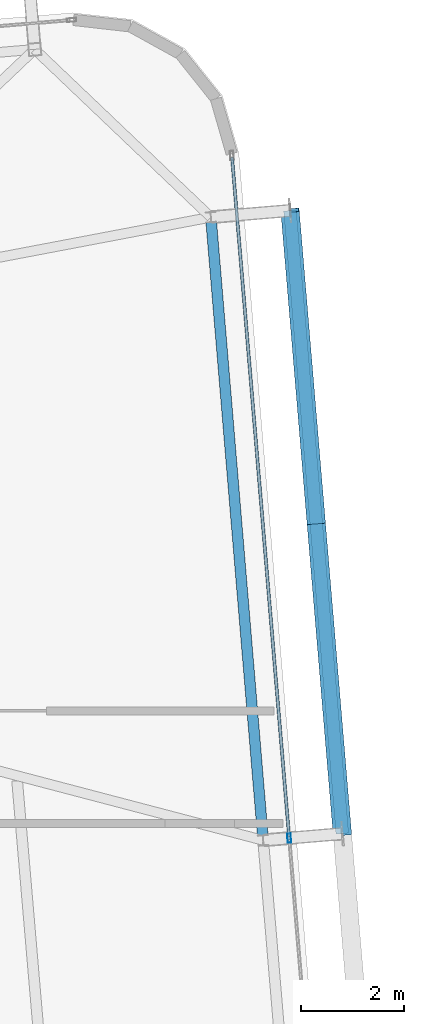
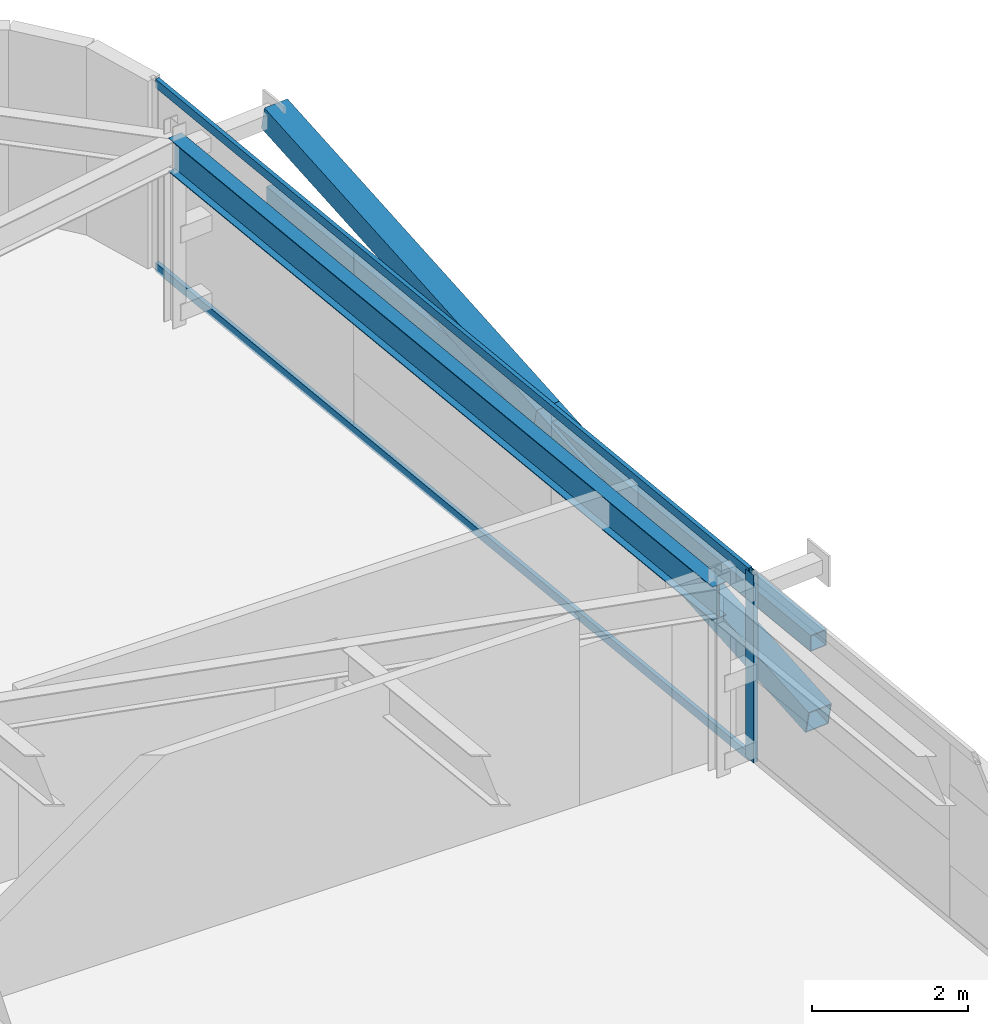
# One storey, part 20 of 37: 6 members, 1 beam, 1 element without a shape of its own.
"""IFC4 building model written with IfcOpenShell, lengths in metres."""

from ifc_helpers import new_model, si_unit, direction, frame, origin, origin_2d, place, context, subcontext, project, spatial, hollow_rectangle, i_section, extrude, source, transform, mapped, material, layer, layer_set, material_profile, profile_set, type_object, element, aggregate, save


model = new_model("IFC4")

# Units and contexts
model_context = context("Model", 3, precision=1e-05, world=origin(), true_north=direction((0.0, 1.0)))
body_context = subcontext(model_context, "Body", "Model", "MODEL_VIEW")
ifc_project = project(units=[si_unit("LENGTHUNIT", "METRE"), si_unit("AREAUNIT", "SQUARE_METRE"), si_unit("VOLUMEUNIT", "CUBIC_METRE"), si_unit("PLANEANGLEUNIT", "RADIAN"), si_unit("MASSUNIT", "GRAM", prefix="KILO")], contexts=[model_context])

# Site, building, storey
site_placement = place(None, origin())
site = spatial("IfcSite", under=ifc_project, at=site_placement, CompositionType="ELEMENT")
building_placement = place(site_placement, origin())
building = spatial("IfcBuilding", under=site, at=building_placement, Name="Taldren Reach Tower", CompositionType="ELEMENT")
storey_placement = place(building_placement, frame((0.0, 0.0, 200.89990234375)))
storey = spatial("IfcBuildingStorey", under=building, at=storey_placement, Name="L61", CompositionType="ELEMENT", Elevation=200.89990234375)

# Beam
ifc_material_1 = material(Name="Steel Gr 350 (350PLUS)", Category="steel")
ifc_material_profile_1 = material_profile(ifc_material_1, i_section(OverallWidth=0.208984375, OverallDepth=0.528076171875, WebThickness=0.009521484375, FlangeThickness=0.01318359375, at=origin_2d()), Name="530UB82.0")
ifc_profile_set_1 = profile_set([ifc_material_profile_1], Name="Steel Gr 350 (350PLUS)")
beam_type = type_object("IfcBeamType", Name="SP-UB530B", PredefinedType="SPANDREL", material=ifc_profile_set_1)
shared_shape_1 = source(origin(), body_context, "Body", "SweptSolid", [
    extrude(i_section(OverallWidth=0.208984375, OverallDepth=0.528076171875, WebThickness=0.009521484375, FlangeThickness=0.01318359375, at=origin_2d()), origin(), (0.0, 0.0, 1.0), 12.199951171875),
])
beam_placement = place(storey_placement, frame((60.6171875, 21.474853515625, 2.666015625), z_axis=(-0.083668166953, 0.99649367175, 0.0), x_axis=(-0.99649367175, -0.083668166953, 0.0)))
element("IfcBeam", 1, at=beam_placement, inside=storey, type_object=beam_type, Name="Perimeter spandrel B4 E2-E3 L61", PredefinedType="SPANDREL", context=body_context, shape_type="MappedRepresentation", body=[
    mapped(shared_shape_1, transform((0.0, 0.0, 0.0), scale=1.0)),
])

# Members
ifc_material_2 = material(Name="Steel Gr 350 (C350L0)", Category="steel")
ifc_material_profile_2 = material_profile(ifc_material_2, hollow_rectangle(XDim=0.25, YDim=0.25, WallThickness=0.010009765625, at=origin_2d()), Name="250x250x10.0SHS")
ifc_profile_set_2 = profile_set([ifc_material_profile_2], Name="Steel Gr 350 (C350L0)")
member_type_1 = type_object("IfcMemberType", Name="MB-POST250", PredefinedType="POST", material=ifc_profile_set_2)
shared_shape_2 = source(origin(), body_context, "Body", "SweptSolid", [
    extrude(hollow_rectangle(XDim=0.25, YDim=0.25, WallThickness=0.010009765625, at=origin_2d()), origin(), (0.0, 0.0, 1.0), 12.199951171875),
])
member_1_placement = place(storey_placement, frame((62.161865234375, 21.6044921875, 1.43505859375), z_axis=(-0.083688038336, 0.996492003099, 0.0), x_axis=(-0.996492003099, -0.083688038336, 0.0)))
element("IfcMember", 2, at=member_1_placement, inside=storey, type_object=member_type_1, Name="Exoskeleton mid-height ring chord B4-E2 L61", PredefinedType="POST", context=body_context, shape_type="MappedRepresentation", body=[
    mapped(shared_shape_2, transform((0.0, 0.0, 0.0), scale=1.0)),
])
ifc_material_3 = material(Name="Steel Gr 450 (C450L0)", Category="steel")
ifc_material_profile_3 = material_profile(ifc_material_3, hollow_rectangle(XDim=0.360107421875, YDim=0.360107421875, WallThickness=0.0126953125, at=origin_2d()), Name="360x360x12.7SHS")
ifc_profile_set_3 = profile_set([ifc_material_profile_3], Name="Steel Gr 450 (C450L0)")
member_type_2 = type_object("IfcMemberType", Name="MB-EXO356", PredefinedType="BRACE", material=ifc_profile_set_3)
shared_shape_3 = source(origin(), body_context, "Body", "SweptSolid", [
    extrude(hollow_rectangle(XDim=0.360107421875, YDim=0.360107421875, WallThickness=0.0126953125, at=origin_2d()), origin(), (0.0, 0.0, 1.0), 6.219970703125),
])
member_2_placement = place(storey_placement, frame((61.6513671875, 27.68310546875, 1.43505859375), z_axis=(-0.082075564879, 0.977291924611, 0.195356330179), x_axis=(-0.996492003099, -0.083688038336, 0.0)))
element("IfcMember", 3, at=member_2_placement, inside=storey, type_object=member_type_2, Name="Exoskeleton Diagrid Brace B4-E2 L61", PredefinedType="BRACE", context=body_context, shape_type="MappedRepresentation", body=[
    mapped(shared_shape_3, transform((0.0, 0.0, 0.0), scale=1.0)),
])
shared_shape_4 = source(origin(), body_context, "Body", "SweptSolid", [
    extrude(hollow_rectangle(XDim=0.360107421875, YDim=0.360107421875, WallThickness=0.0126953125, at=origin_2d()), origin(), (0.0, 0.0, 1.0), 6.2197265625),
])
member_3_placement = place(storey_placement, frame((62.161865234375, 21.6044921875, 0.22021484375), z_axis=(-0.082076194186, 0.977299417909, 0.19531857593), x_axis=(-0.996492003099, -0.083688038336, 0.0)))
element("IfcMember", 4, at=member_3_placement, inside=storey, type_object=member_type_2, Name="Exoskeleton Diagrid Brace B4-E2 L61", PredefinedType="BRACE", context=body_context, shape_type="MappedRepresentation", body=[
    mapped(shared_shape_4, transform((0.0, 0.0, 0.0), scale=1.0)),
])

# Curtain wall, members
ifc_material_4 = material(Name="Aluminium and Low-E Glass Unitised System", Category="aluminium")
ifc_layer = layer(ifc_material_4, 0.159912109375)
ifc_layer_set = layer_set([ifc_layer], Name="Aluminium and Low-E Glass Unitised System")
curtain_wall_type = type_object("IfcCurtainWallType", Name="CW-SYS-5", PredefinedType="NOTDEFINED", material=ifc_layer_set)
curtain_wall_placement = place(storey_placement, origin())
curtain_wall = element("IfcCurtainWall", 5, at=curtain_wall_placement, inside=storey, type_object=curtain_wall_type, Name="Unitised curtain wall CW-L61-E", PredefinedType="NOTDEFINED")
ifc_material_5 = material(Name="Anodised Aluminium 6063-T6", Category="aluminium")
ifc_material_profile_4 = material_profile(ifc_material_5, hollow_rectangle(XDim=0.070068359375, YDim=0.179931640625, WallThickness=0.00390625, at=origin_2d()), Name="ALU-180x70x4RHS")
ifc_profile_set_4 = profile_set([ifc_material_profile_4], Name="Anodised Aluminium 6063-T6")
member_type_3 = type_object("IfcMemberType", Name="CW-MUL-180", PredefinedType="MULLION", material=ifc_profile_set_4)
shared_shape_5 = source(origin(), body_context, "Body", "SweptSolid", [
    extrude(hollow_rectangle(XDim=0.070068359375, YDim=0.179931640625, WallThickness=0.00390625, at=origin_2d()), origin(), (0.0, 0.0, 1.0), 2.93017578125),
])
member_4_placement = place(storey_placement, frame((61.12548828125, 21.517578125, 0.0), z_axis=(0.0, 0.0, 1.0), x_axis=(-0.996492847789, -0.083677979808, 0.0)))
member_4 = element("IfcMember", 6, at=member_4_placement, type_object=member_type_3, Name="CW-5 mullion 2", PredefinedType="MULLION", context=body_context, shape_type="MappedRepresentation", body=[
    mapped(shared_shape_5, transform((0.0, 0.0, 0.0), scale=1.0)),
])
ifc_material_profile_5 = material_profile(ifc_material_5, hollow_rectangle(XDim=0.06005859375, YDim=0.135009765625, WallThickness=0.00341796875, at=origin_2d()), Name="ALU-135x60x3.5RHS")
ifc_profile_set_5 = profile_set([ifc_material_profile_5], Name="Anodised Aluminium 6063-T6")
member_type_4 = type_object("IfcMemberType", Name="CW-TRN-150", PredefinedType="USERDEFINED", material=ifc_profile_set_5)
shared_shape_6 = source(origin(), body_context, "Body", "SweptSolid", [
    extrude(hollow_rectangle(XDim=0.06005859375, YDim=0.135009765625, WallThickness=0.00341796875, at=origin_2d()), origin(), (0.0, 0.0, 1.0), 13.295166015625),
])
member_5_placement = place(storey_placement, frame((61.12255859375, 21.55224609375, 0.030029296875), z_axis=(-0.083680700004, 0.996492619364, 0.0), x_axis=(-0.996492619364, -0.083680700004, 0.0)))
member_5 = element("IfcMember", 7, at=member_5_placement, type_object=member_type_4, Name="CW-5 transom 2.1", ObjectType="TRANSOM", PredefinedType="USERDEFINED", context=body_context, shape_type="MappedRepresentation", body=[
    mapped(shared_shape_6, transform((0.0, 0.0, 0.0), scale=1.0)),
])
member_6_placement = place(storey_placement, frame((61.12255859375, 21.55224609375, 2.900146484375), z_axis=(-0.083680700004, 0.996492619364, 0.0), x_axis=(-0.996492619364, -0.083680700004, 0.0)))
member_6 = element("IfcMember", 8, at=member_6_placement, type_object=member_type_4, Name="CW-5 transom 2.2", ObjectType="TRANSOM", PredefinedType="USERDEFINED", context=body_context, shape_type="MappedRepresentation", body=[
    mapped(shared_shape_6, transform((0.0, 0.0, 0.0), scale=1.0)),
])
aggregate(curtain_wall, [member_4, member_5, member_6])

save(model, "model.ifc")
